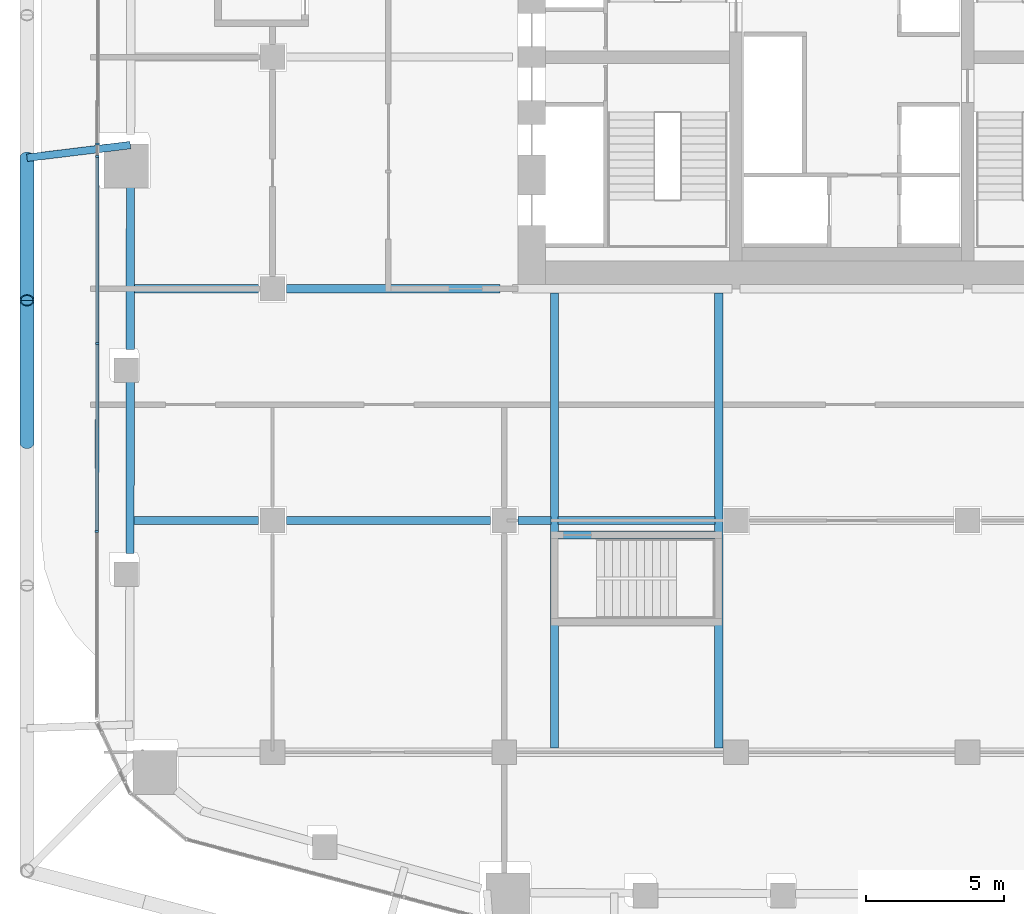
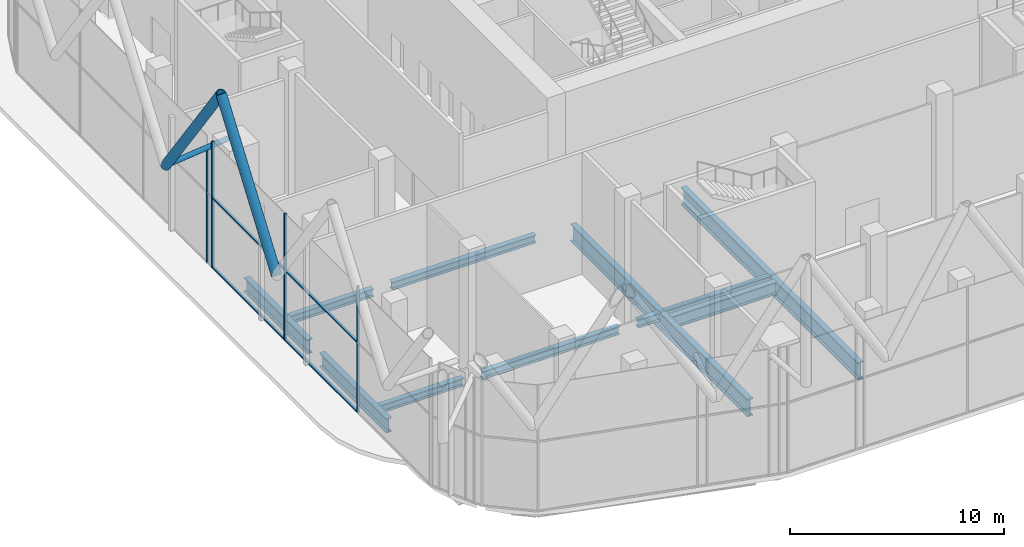
# One storey, part 4 of 34: 11 beams, 11 members, 2 elements without a shape of their own.
"""IFC4 building model written with IfcOpenShell, lengths in metres."""

from ifc_helpers import new_model, si_unit, direction, frame, origin, origin_2d, place, context, subcontext, project, spatial, rectangle, hollow_circle, i_section, extrude, material, layer, layer_set, material_profile, profile_set, type_object, element, aggregate, save


model = new_model("IFC4")

# Units and contexts
model_context = context("Model", 3, precision=1e-05, world=origin(), true_north=direction((0.0, 1.0)))
body_context = subcontext(model_context, "Body", "Model", "MODEL_VIEW")
ifc_project = project(units=[si_unit("LENGTHUNIT", "METRE"), si_unit("AREAUNIT", "SQUARE_METRE"), si_unit("VOLUMEUNIT", "CUBIC_METRE"), si_unit("PLANEANGLEUNIT", "RADIAN"), si_unit("MASSUNIT", "GRAM", prefix="KILO")], contexts=[model_context])

# Site, building, storey
site_placement = place(None, origin())
site = spatial("IfcSite", under=ifc_project, at=site_placement, CompositionType="ELEMENT")
building_placement = place(site_placement, origin())
building = spatial("IfcBuilding", under=site, at=building_placement, Name="Marenta Gate Hotel Tower", CompositionType="ELEMENT")
storey_placement = place(building_placement, frame((0.0, 0.0, 97.699951171875)))
storey = spatial("IfcBuildingStorey", under=building, at=storey_placement, Name="L21", CompositionType="ELEMENT", Elevation=97.699951171875)

# Members
ifc_material_1 = material(Name="Steel S355J2W", Category="steel")
ifc_material_profile_1 = material_profile(ifc_material_1, hollow_circle(Radius=0.25390625, WallThickness=0.0400390625, at=origin_2d()), Name="CHS 508x40")
ifc_profile_set_1 = profile_set([ifc_material_profile_1], Name="Steel S355J2W")
member_type_1 = type_object("IfcMemberType", Name="Diagrid diagonal Z2 CHS 508x40", PredefinedType="BRACE", material=ifc_profile_set_1)
member_1_placement = place(storey_placement, frame((-29.89990234375, -5.590087890625, 6.739990234375), z_axis=(0.0, 0.583260841117, 0.812284919975), x_axis=(-1.0, 0.0, 0.0)))
element("IfcMember", 1, at=member_1_placement, inside=storey, type_object=member_type_1, Name="L21-DG-28", PredefinedType="BRACE", context=body_context, shape_type="SweptSolid", body=[
    extrude(hollow_circle(Radius=0.25390625, WallThickness=0.0400390625, at=origin_2d()), origin(), (0.0, 0.0, 1.0), 8.86376953125),
])
member_2_placement = place(storey_placement, frame((-29.89990234375, 4.75, 6.739990234375), z_axis=(0.0, -0.583279014058, 0.812271870595), x_axis=(1.0, 0.0, 0.0)))
element("IfcMember", 2, at=member_2_placement, inside=storey, type_object=member_type_1, Name="L21-DG-29", PredefinedType="BRACE", context=body_context, shape_type="SweptSolid", body=[
    extrude(hollow_circle(Radius=0.25390625, WallThickness=0.0400390625, at=origin_2d()), origin(), (0.0, 0.0, 1.0), 8.864013671875),
])

# Beams
ifc_material_2 = material(Name="Steel S355", Category="steel")
ifc_material_profile_2 = material_profile(ifc_material_2, i_section(OverallWidth=0.302978515625, OverallDepth=0.81396484375, WebThickness=0.030029296875, FlangeThickness=0.052001953125, FilletRadius=0.030029296875, at=origin_2d()), Name="HEM 800")
ifc_profile_set_2 = profile_set([ifc_material_profile_2], Name="Steel S355")
beam_type_1 = type_object("IfcBeamType", Name="Edge beam HEM 800", PredefinedType="SPANDREL", material=ifc_profile_set_2)
beam_1_placement = place(storey_placement, frame((-26.1669921875, -9.6015625, -0.6669921875), z_axis=(0.001408339109, 0.99999900829, 0.0), x_axis=(-0.99999900829, 0.001408339109, 0.0)))
element("IfcBeam", 3, at=beam_1_placement, inside=storey, type_object=beam_type_1, Name="L21-EB-5", PredefinedType="SPANDREL", context=body_context, shape_type="SweptSolid", body=[
    extrude(i_section(OverallWidth=0.302978515625, OverallDepth=0.81396484375, WebThickness=0.030029296875, FlangeThickness=0.052001953125, FilletRadius=0.030029296875, at=origin_2d()), origin(), (0.0, 0.0, 1.0), 6.24072265625),
])
beam_2_placement = place(storey_placement, frame((-26.15673828125, -2.200439453125, -0.6669921875), z_axis=(0.0014092082, 0.999999007066, 0.0), x_axis=(-0.999999007066, 0.0014092082, 0.0)))
element("IfcBeam", 4, at=beam_2_placement, inside=storey, type_object=beam_type_1, Name="L21-EB-6", PredefinedType="SPANDREL", context=body_context, shape_type="SweptSolid", body=[
    extrude(i_section(OverallWidth=0.302978515625, OverallDepth=0.81396484375, WebThickness=0.030029296875, FlangeThickness=0.052001953125, FilletRadius=0.030029296875, at=origin_2d()), origin(), (0.0, 0.0, 1.0), 5.890380859375),
])

# Member
ifc_material_3 = material(Name="Steel S355J2W", Category="steel")
ifc_material_profile_3 = material_profile(ifc_material_3, hollow_circle(Radius=0.136474609375, WallThickness=0.012451171875, at=origin_2d()), Name="CHS 273x12.5")
ifc_profile_set_3 = profile_set([ifc_material_profile_3], Name="Steel S355J2W")
member_type_2 = type_object("IfcMemberType", Name="Floor tie CHS 273x12.5", PredefinedType="STRUT", material=ifc_profile_set_3)
member_3_placement = place(storey_placement, frame((-29.89990234375, 4.75, 6.739990234375), z_axis=(0.992572528932, 0.121654325075, 0.0), x_axis=(-0.121654325075, 0.992572528932, 0.0)))
element("IfcMember", 5, at=member_3_placement, inside=storey, type_object=member_type_2, Name="L21-DR-20", PredefinedType="STRUT", context=body_context, shape_type="SweptSolid", body=[
    extrude(hollow_circle(Radius=0.136474609375, WallThickness=0.012451171875, at=origin_2d()), origin(), (0.0, 0.0, 1.0), 3.77490234375),
])

# Beams
ifc_material_4 = material(Name="Steel S355", Category="steel")
ifc_material_profile_4 = material_profile(ifc_material_4, i_section(OverallWidth=0.300048828125, OverallDepth=0.449951171875, WebThickness=0.013916015625, FlangeThickness=0.02587890625, FilletRadius=0.027099609375, at=origin_2d()), Name="HEB 450")
ifc_profile_set_4 = profile_set([ifc_material_profile_4], Name="Steel S355")
beam_type_2 = type_object("IfcBeamType", Name="Girder HEB 450", PredefinedType="BEAM", material=ifc_profile_set_4)
beam_3_placement = place(storey_placement, frame((-26.013671875, -8.39990234375, -0.48486328125), z_axis=(1.0, 0.0, 0.0), x_axis=(0.0, 1.0, 0.0)))
element("IfcBeam", 6, at=beam_3_placement, inside=storey, type_object=beam_type_2, Name="L21-GD-8", PredefinedType="BEAM", context=body_context, shape_type="SweptSolid", body=[
    extrude(i_section(OverallWidth=0.300048828125, OverallDepth=0.449951171875, WebThickness=0.013916015625, FlangeThickness=0.02587890625, FilletRadius=0.027099609375, at=origin_2d()), origin(), (0.0, 0.0, 1.0), 4.513671875),
])
beam_4_placement = place(storey_placement, frame((-20.5, -8.39990234375, -0.48486328125), z_axis=(1.0, 0.0, 0.0), x_axis=(0.0, 1.0, 0.0)))
element("IfcBeam", 7, at=beam_4_placement, inside=storey, type_object=beam_type_2, Name="L21-GD-9", PredefinedType="BEAM", context=body_context, shape_type="SweptSolid", body=[
    extrude(i_section(OverallWidth=0.300048828125, OverallDepth=0.449951171875, WebThickness=0.013916015625, FlangeThickness=0.02587890625, FilletRadius=0.027099609375, at=origin_2d()), origin(), (0.0, 0.0, 1.0), 7.39990234375),
])
beam_5_placement = place(storey_placement, frame((-12.10009765625, -8.39990234375, -0.48486328125), z_axis=(1.0, 0.0, 0.0), x_axis=(0.0, 1.0, 0.0)))
element("IfcBeam", 8, at=beam_5_placement, inside=storey, type_object=beam_type_2, Name="L21-GD-10", PredefinedType="BEAM", context=body_context, shape_type="SweptSolid", body=[
    extrude(i_section(OverallWidth=0.300048828125, OverallDepth=0.449951171875, WebThickness=0.013916015625, FlangeThickness=0.02587890625, FilletRadius=0.027099609375, at=origin_2d()), origin(), (0.0, 0.0, 1.0), 1.2001953125),
])
beam_6_placement = place(storey_placement, frame((-10.64990234375, -8.39990234375, -0.48486328125), z_axis=(1.0, 0.0, 0.0), x_axis=(0.0, 1.0, 0.0)))
element("IfcBeam", 9, at=beam_6_placement, inside=storey, type_object=beam_type_2, Name="L21-GD-11", PredefinedType="BEAM", context=body_context, shape_type="SweptSolid", body=[
    extrude(i_section(OverallWidth=0.300048828125, OverallDepth=0.449951171875, WebThickness=0.013916015625, FlangeThickness=0.02587890625, FilletRadius=0.027099609375, at=origin_2d()), origin(), (0.0, 0.0, 1.0), 5.699951171875),
])
beam_7_placement = place(storey_placement, frame((-26.002197265625, 0.0, -0.48486328125), z_axis=(1.0, 0.0, 0.0), x_axis=(0.0, 1.0, 0.0)))
element("IfcBeam", 10, at=beam_7_placement, inside=storey, type_object=beam_type_2, Name="L21-GD-16", PredefinedType="BEAM", context=body_context, shape_type="SweptSolid", body=[
    extrude(i_section(OverallWidth=0.300048828125, OverallDepth=0.449951171875, WebThickness=0.013916015625, FlangeThickness=0.02587890625, FilletRadius=0.027099609375, at=origin_2d()), origin(), (0.0, 0.0, 1.0), 4.502197265625),
])
beam_8_placement = place(storey_placement, frame((-20.5, 0.0, -0.48486328125), z_axis=(1.0, 0.0, 0.0), x_axis=(0.0, 1.0, 0.0)))
element("IfcBeam", 11, at=beam_8_placement, inside=storey, type_object=beam_type_2, Name="L21-GD-17", PredefinedType="BEAM", context=body_context, shape_type="SweptSolid", body=[
    extrude(i_section(OverallWidth=0.300048828125, OverallDepth=0.449951171875, WebThickness=0.013916015625, FlangeThickness=0.02587890625, FilletRadius=0.027099609375, at=origin_2d()), origin(), (0.0, 0.0, 1.0), 7.74853515625),
])

# Curtain wall, member
ifc_material_5 = material(Name="Tinted insulated glass in bronze anodised frame", Category="glass")
ifc_layer = layer(ifc_material_5, 0.1298828125)
ifc_layer_set = layer_set([ifc_layer], Name="Tinted insulated glass in bronze anodised frame")
curtain_wall_type = type_object("IfcCurtainWallType", Name="Sky lobby glazing CW2", PredefinedType="NOTDEFINED", material=ifc_layer_set)
curtain_wall_1_placement = place(storey_placement, origin())
curtain_wall_1 = element("IfcCurtainWall", 12, at=curtain_wall_1_placement, inside=storey, type_object=curtain_wall_type, Name="CW2 run G07", PredefinedType="NOTDEFINED")
ifc_material_6 = material(Name="Bronze anodised aluminium", Category="aluminium")
ifc_material_profile_5 = material_profile(ifc_material_6, rectangle(XDim=0.1298828125, YDim=0.080078125, at=origin_2d()), Name="Mullion CW2 80x130 bronze anodised aluminium")
ifc_profile_set_5 = profile_set([ifc_material_profile_5], Name="Bronze anodised aluminium")
member_type_3 = type_object("IfcMemberType", Name="Mullion CW2 80x130 bronze anodised aluminium", PredefinedType="MULLION", material=ifc_profile_set_5)
member_4_placement = place(storey_placement, frame((-27.34521484375, 5.251220703125, 0.0), z_axis=(0.0, 0.0, 1.0), x_axis=(0.999998824335, -0.001533404542, 0.0)))
member_4 = element("IfcMember", 13, at=member_4_placement, type_object=member_type_3, Name="CW2 mullion 1", PredefinedType="MULLION", context=body_context, shape_type="SweptSolid", body=[
    extrude(rectangle(XDim=0.1298828125, YDim=0.080078125, at=origin_2d()), origin(), (0.0, 0.0, 1.0), 6.6005859375),
])
aggregate(curtain_wall_1, [member_4])

# Curtain wall, members
curtain_wall_2_placement = place(storey_placement, origin())
curtain_wall_2 = element("IfcCurtainWall", 14, at=curtain_wall_2_placement, inside=storey, type_object=curtain_wall_type, Name="CW2 run G08", PredefinedType="NOTDEFINED")
member_5_placement = place(storey_placement, frame((-27.345947265625, 4.794921875, 0.0), z_axis=(0.0, 0.0, 1.0), x_axis=(0.999998775523, -0.001564912707, 0.0)))
member_5 = element("IfcMember", 15, at=member_5_placement, type_object=member_type_3, Name="CW2 mullion 1", PredefinedType="MULLION", context=body_context, shape_type="SweptSolid", body=[
    extrude(rectangle(XDim=0.1298828125, YDim=0.080078125, at=origin_2d()), origin(), (0.0, 0.0, 1.0), 7.199951171875),
])
member_6_placement = place(storey_placement, frame((-27.3564453125, -1.9814453125, 0.0), z_axis=(0.0, 0.0, 1.0), x_axis=(0.999998775523, -0.001564912707, 0.0)))
member_6 = element("IfcMember", 16, at=member_6_placement, type_object=member_type_3, Name="CW2 mullion 2", PredefinedType="MULLION", context=body_context, shape_type="SweptSolid", body=[
    extrude(rectangle(XDim=0.1298828125, YDim=0.080078125, at=origin_2d()), origin(), (0.0, 0.0, 1.0), 7.199951171875),
])
member_7_placement = place(storey_placement, frame((-27.3671875, -8.79736328125, 0.0), z_axis=(0.0, 0.0, 1.0), x_axis=(0.999998775523, -0.001564912707, 0.0)))
member_7 = element("IfcMember", 17, at=member_7_placement, type_object=member_type_3, Name="CW2 mullion 3", PredefinedType="MULLION", context=body_context, shape_type="SweptSolid", body=[
    extrude(rectangle(XDim=0.1298828125, YDim=0.080078125, at=origin_2d()), origin(), (0.0, 0.0, 1.0), 7.199951171875),
])

# Beams
ifc_material_7 = material(Name="Steel S355", Category="steel")
ifc_material_profile_6 = material_profile(ifc_material_7, i_section(OverallWidth=0.302001953125, OverallDepth=1.008056640625, WebThickness=0.0400390625, FlangeThickness=0.06396484375, FilletRadius=0.030029296875, at=origin_2d()), Name="HEM 1000")
ifc_profile_set_6 = profile_set([ifc_material_profile_6], Name="Steel S355")
beam_type_3 = type_object("IfcBeamType", Name="Stair wall transfer beam HEM 1000", PredefinedType="BEAM", material=ifc_profile_set_6)
for number, where, z_axis, x_axis, name in (
    (18, (-10.77490234375, -16.64990234375, -0.763916015625), (0.0, 1.0, 0.0), (-1.0, 0.0, 0.0), "L21-XB-RS-Z2-1-a"),
    (19, (-4.824951171875, -16.64990234375, -0.763916015625), (0.0, 1.0, 0.0), (-1.0, 0.0, 0.0), "L21-XB-RS-Z2-1-b"),
):
    element("IfcBeam", number, at=place(storey_placement, frame(where, z_axis=z_axis, x_axis=x_axis)), inside=storey, type_object=beam_type_3, Name=name, PredefinedType="BEAM", context=body_context, shape_type="SweptSolid", body=[
        extrude(i_section(OverallWidth=0.302001953125, OverallDepth=1.008056640625, WebThickness=0.0400390625, FlangeThickness=0.06396484375, FilletRadius=0.030029296875, at=origin_2d()), origin(), (0.0, 0.0, 1.0), 16.5),
    ])
ifc_material_8 = material(Name="Steel S355", Category="steel")
ifc_material_profile_7 = material_profile(ifc_material_8, i_section(OverallWidth=0.303955078125, OverallDepth=0.716064453125, WebThickness=0.027099609375, FlangeThickness=0.048095703125, FilletRadius=0.027099609375, at=origin_2d()), Name="HEM 700")
ifc_profile_set_7 = profile_set([ifc_material_profile_7], Name="Steel S355")
beam_type_4 = type_object("IfcBeamType", Name="Stair wall transfer beam HEM 700", PredefinedType="BEAM", material=ifc_profile_set_7)
beam_9_placement = place(storey_placement, frame((-10.64990234375, -8.925048828125, -0.617919921875), z_axis=(1.0, 0.0, 0.0), x_axis=(0.0, 1.0, 0.0)))
element("IfcBeam", 20, at=beam_9_placement, inside=storey, type_object=beam_type_4, Name="L21-XB-RS-Z2-1-d", PredefinedType="BEAM", context=body_context, shape_type="SweptSolid", body=[
    extrude(i_section(OverallWidth=0.303955078125, OverallDepth=0.716064453125, WebThickness=0.027099609375, FlangeThickness=0.048095703125, FilletRadius=0.027099609375, at=origin_2d()), origin(), (0.0, 0.0, 1.0), 5.699951171875),
])

# Member
ifc_material_9 = material(Name="Bronze anodised aluminium", Category="aluminium")
ifc_material_profile_8 = material_profile(ifc_material_9, rectangle(XDim=0.1298828125, YDim=0.080078125, at=origin_2d()), Name="Transom CW2 80x130 bronze anodised aluminium")
ifc_profile_set_8 = profile_set([ifc_material_profile_8], Name="Bronze anodised aluminium")
member_type_4 = type_object("IfcMemberType", Name="Transom CW2 80x130 bronze anodised aluminium", PredefinedType="USERDEFINED", material=ifc_profile_set_8)
member_8_placement = place(storey_placement, frame((-27.345947265625, 4.7548828125, 0.0400390625), z_axis=(-0.001567739068, -0.999998771096, 0.0), x_axis=(0.999998771096, -0.001567739068, 0.0)))
member_8 = element("IfcMember", 21, at=member_8_placement, type_object=member_type_4, Name="CW2 transom 1.1", ObjectType="TRANSOM", PredefinedType="USERDEFINED", context=body_context, shape_type="SweptSolid", body=[
    extrude(rectangle(XDim=0.1298828125, YDim=0.080078125, at=origin_2d()), origin(), (0.0, 0.0, 1.0), 6.6962890625),
])

member_9_placement = place(storey_placement, frame((-27.345947265625, 4.7548828125, 4.0), z_axis=(-0.001567739068, -0.999998771096, 0.0), x_axis=(0.999998771096, -0.001567739068, 0.0)))
member_9 = element("IfcMember", 22, at=member_9_placement, type_object=member_type_4, Name="CW2 transom 1.2", ObjectType="TRANSOM", PredefinedType="USERDEFINED", context=body_context, shape_type="SweptSolid", body=[
    extrude(rectangle(XDim=0.1298828125, YDim=0.080078125, at=origin_2d()), origin(), (0.0, 0.0, 1.0), 6.6962890625),
])

member_10_placement = place(storey_placement, frame((-27.356689453125, -2.021240234375, 0.0400390625), z_axis=(-0.001558420839, -0.999998785662, 0.0), x_axis=(0.999998785662, -0.001558420839, 0.0)))
member_10 = element("IfcMember", 23, at=member_10_placement, type_object=member_type_4, Name="CW2 transom 2.1", ObjectType="TRANSOM", PredefinedType="USERDEFINED", context=body_context, shape_type="SweptSolid", body=[
    extrude(rectangle(XDim=0.1298828125, YDim=0.080078125, at=origin_2d()), origin(), (0.0, 0.0, 1.0), 6.736328125),
])

member_11_placement = place(storey_placement, frame((-27.356689453125, -2.021240234375, 4.0), z_axis=(-0.001558420839, -0.999998785662, 0.0), x_axis=(0.999998785662, -0.001558420839, 0.0)))
member_11 = element("IfcMember", 24, at=member_11_placement, type_object=member_type_4, Name="CW2 transom 2.2", ObjectType="TRANSOM", PredefinedType="USERDEFINED", context=body_context, shape_type="SweptSolid", body=[
    extrude(rectangle(XDim=0.1298828125, YDim=0.080078125, at=origin_2d()), origin(), (0.0, 0.0, 1.0), 6.736328125),
])

aggregate(curtain_wall_2, [member_5, member_6, member_7, member_8, member_9, member_10, member_11])

save(model, "model.ifc")
